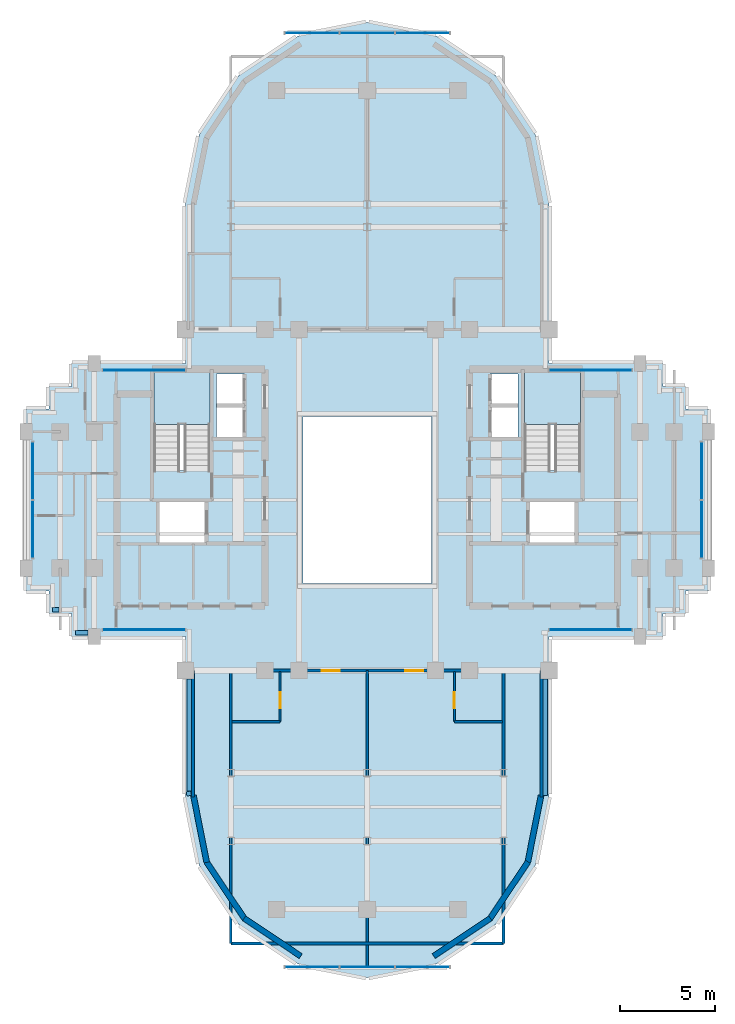
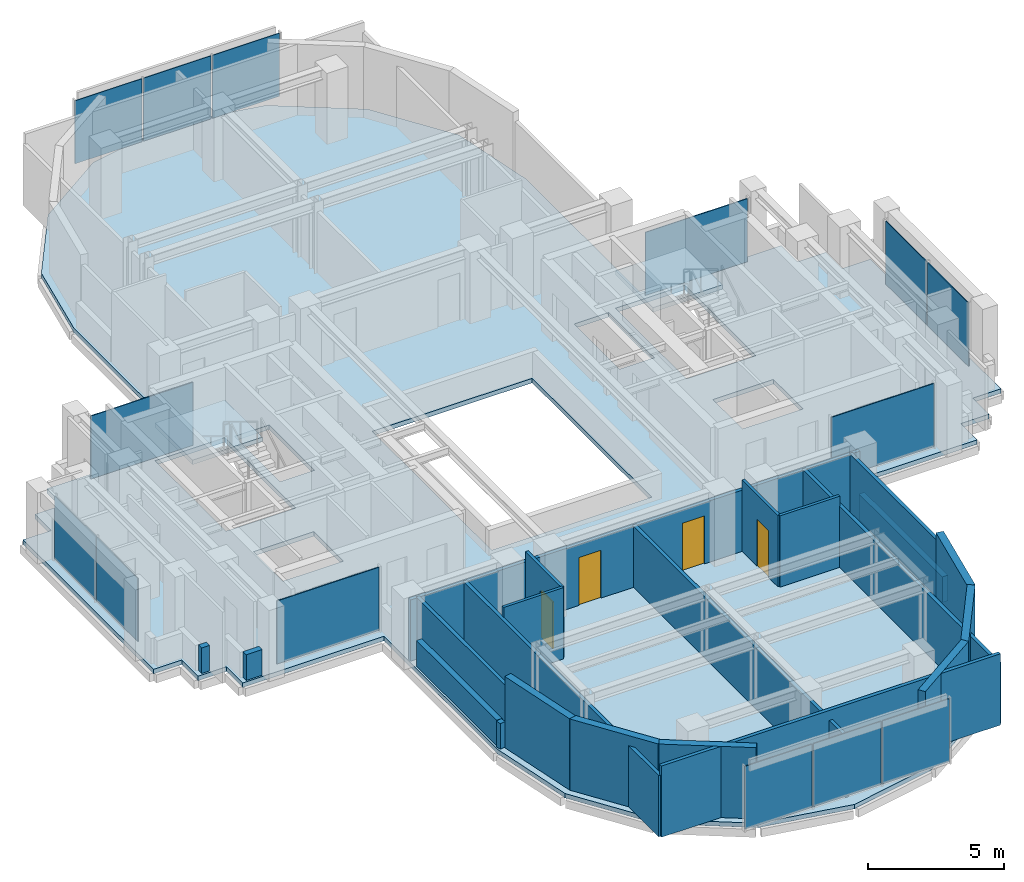
# One storey, part 5 of 12: 22 walls, 14 plates, 4 doors, 3 slabs, 4 openings, 10 elements without a shape of their own.
"""IFC4 building model written with IfcOpenShell, lengths in metres."""

from ifc_helpers import new_model, si_unit, direction, frame, frame_2d, origin, origin_2d, place, context, subcontext, project, spatial, polyline, rectangle, outline, extrude, source, transform, mapped, material, layer, layer_set, type_object, element, fill, aggregate, save


model = new_model("IFC4")

# Units and contexts
model_context = context("Model", 3, precision=1e-05, world=origin(), true_north=direction((0.0, 1.0)))
body_context = subcontext(model_context, "Body", "Model", "MODEL_VIEW")
ifc_project = project(units=[si_unit("LENGTHUNIT", "METRE"), si_unit("AREAUNIT", "SQUARE_METRE"), si_unit("VOLUMEUNIT", "CUBIC_METRE"), si_unit("PLANEANGLEUNIT", "RADIAN"), si_unit("MASSUNIT", "GRAM", prefix="KILO")], contexts=[model_context])

# Site, building, storey
site_placement = place(None, origin())
site = spatial("IfcSite", under=ifc_project, at=site_placement, CompositionType="ELEMENT")
building_placement = place(site_placement, origin())
building = spatial("IfcBuilding", under=site, at=building_placement, Name="Keilestroom Media Tower", CompositionType="ELEMENT")
storey_placement = place(building_placement, frame((0.0, 0.0, 187.60009765625)))
storey = spatial("IfcBuildingStorey", under=building, at=storey_placement, Name="L51", CompositionType="ELEMENT", Elevation=187.60009765625)

# Slab
ifc_material_1 = material(Name="Concrete C50/60", Category="concrete")
ifc_layer_1 = layer(ifc_material_1, 0.199951171875)
ifc_layer_set_1 = layer_set([ifc_layer_1], Name="Concrete C50/60")
slab_type_1 = type_object("IfcSlabType", Name="Composite-Floor-Slab-200", PredefinedType="FLOOR", material=ifc_layer_set_1)
slab_1_placement = place(storey_placement, frame((0.0, 0.0, -0.2001953125)))
element("IfcSlab", 1, at=slab_1_placement, inside=storey, type_object=slab_type_1, Name="L51 Structural Composite Floor Slab", PredefinedType="FLOOR", context=body_context, shape_type="SweptSolid", body=[
    extrude(outline(polyline([(18.0, -4.800048828125), (18.0, 4.800048828125), (16.800048828125, 4.800048828125), (16.800048828125, 6.0), (15.60009765625, 6.0), (15.60009765625, 7.199951171875), (9.60009765625, 7.199951171875), (9.60009765625, 9.60009765625), (9.60009765625, 15.60009765625), (8.869140625, 19.273681640625), (6.7880859375, 22.38818359375), (3.673828125, 24.46923828125), (0.0, 25.199951171875), (-3.673828125, 24.46923828125), (-6.7880859375, 22.38818359375), (-8.869140625, 19.273681640625), (-9.60009765625, 15.60009765625), (-9.60009765625, 9.60009765625), (-9.60009765625, 7.199951171875), (-15.60009765625, 7.199951171875), (-15.60009765625, 6.0), (-16.800048828125, 6.0), (-16.800048828125, 4.800048828125), (-18.0, 4.800048828125), (-18.0, -4.800048828125), (-16.800048828125, -4.800048828125), (-16.800048828125, -6.0), (-15.60009765625, -6.0), (-15.60009765625, -7.199951171875), (-9.60009765625, -7.199951171875), (-9.60009765625, -9.60009765625), (-9.60009765625, -15.60009765625), (-8.869140625, -19.273681640625), (-6.7880859375, -22.38818359375), (-3.673828125, -24.46923828125), (0.0, -25.199951171875), (3.673828125, -24.46923828125), (6.7880859375, -22.38818359375), (8.869140625, -19.273681640625), (9.60009765625, -15.60009765625), (9.60009765625, -9.60009765625), (9.60009765625, -7.199951171875), (15.60009765625, -7.199951171875), (15.60009765625, -6.0), (16.800048828125, -6.0), (16.800048828125, -4.800048828125), (18.0, -4.800048828125)]), holes=[polyline([(-8.300048828125, 1.544921875), (-11.260009765625, 1.544921875), (-11.260009765625, 6.760009765625), (-8.300048828125, 6.760009765625), (-8.300048828125, 1.544921875)]), polyline([(-8.47998046875, -2.280029296875), (-11.050048828125, -2.280029296875), (-11.050048828125, -0.10009765625), (-8.47998046875, -0.10009765625), (-8.47998046875, -2.280029296875)]), polyline([(-6.47998046875, 3.300048828125), (-7.949951171875, 3.300048828125), (-7.949951171875, 6.64990234375), (-6.47998046875, 6.64990234375), (-6.47998046875, 3.300048828125)]), polyline([(3.39990234375, -4.39990234375), (-3.39990234375, -4.39990234375), (-3.39990234375, 4.39990234375), (3.39990234375, 4.39990234375), (3.39990234375, -4.39990234375)]), polyline([(7.949951171875, 3.300048828125), (6.47998046875, 3.300048828125), (6.47998046875, 6.64990234375), (7.949951171875, 6.64990234375), (7.949951171875, 3.300048828125)]), polyline([(11.260009765625, 1.544921875), (8.300048828125, 1.544921875), (8.300048828125, 6.760009765625), (11.260009765625, 6.760009765625), (11.260009765625, 1.544921875)]), polyline([(11.050048828125, -2.280029296875), (8.47998046875, -2.280029296875), (8.47998046875, -0.10009765625), (11.050048828125, -0.10009765625), (11.050048828125, -2.280029296875)])]), origin(), (0.0, 0.0, 1.0), 0.2001953125),
])

# Stair, slab
ifc_material_2 = material(Name="Concrete C45/55", Category="concrete")
stair_type = type_object("IfcStairType", Name="Enclosed-Dog-Leg-Stair-ST-CORE", PredefinedType="HALF_TURN_STAIR", material=ifc_material_2)
stair_1_placement = place(storey_placement, origin())
stair_1 = element("IfcStair", 2, at=stair_1_placement, inside=storey, type_object=stair_type, Name="L51 West Core Escape Stair ST-1", PredefinedType="HALF_TURN_STAIR")
ifc_layer_2 = layer(ifc_material_2, 0.199951171875)
ifc_layer_set_2 = layer_set([ifc_layer_2], Name="Concrete C45/55")
slab_type_2 = type_object("IfcSlabType", Name="Stair-Intermediate-And-Top-Landing-Slab-200", PredefinedType="LANDING", material=ifc_layer_set_2)
slab_2_placement = place(storey_placement, frame((0.0, 0.0, 1.5)))
slab_2 = element("IfcSlab", 3, at=slab_2_placement, type_object=slab_type_2, Name="ST-1 landing 1", PredefinedType="LANDING", context=body_context, shape_type="SweptSolid", body=[
    extrude(outline(polyline([(-8.300048828125, 3.99609375), (-8.300048828125, 6.760009765625), (-11.260009765625, 6.760009765625), (-11.260009765625, 3.99609375), (-8.300048828125, 3.99609375)])), origin(), (0.0, 0.0, 1.0), 0.199951171875),
])
aggregate(stair_1, [slab_2])

stair_2_placement = place(storey_placement, origin())
stair_2 = element("IfcStair", 4, at=stair_2_placement, inside=storey, type_object=stair_type, Name="L51 East Core Escape Stair ST-2", PredefinedType="HALF_TURN_STAIR")
slab_3_placement = place(storey_placement, frame((0.0, 0.0, 1.5)))
slab_3 = element("IfcSlab", 5, at=slab_3_placement, type_object=slab_type_2, Name="ST-2 landing 1", PredefinedType="LANDING", context=body_context, shape_type="SweptSolid", body=[
    extrude(outline(polyline([(11.260009765625, 3.99609375), (11.260009765625, 6.760009765625), (8.300048828125, 6.760009765625), (8.300048828125, 3.99609375), (11.260009765625, 3.99609375)])), origin(), (0.0, 0.0, 1.0), 0.199951171875),
])
aggregate(stair_2, [slab_3])

# Curtain wall, plates
ifc_material_3 = material(Name="Anodised Aluminium Alloy", Category="aluminium")
curtain_wall_type_1 = type_object("IfcCurtainWallType", Name="Unitised-Curtain-Wall-CW-6", PredefinedType="NOTDEFINED", material=ifc_material_3)
curtain_wall_1_placement = place(storey_placement, origin())
curtain_wall_1 = element("IfcCurtainWall", 6, at=curtain_wall_1_placement, inside=storey, type_object=curtain_wall_type_1, Name="L51 Curtain Wall CW-6 CW-L51-LN-1", PredefinedType="NOTDEFINED")
ifc_material_4 = material(Name="Curved-Facet Triple Glazed Unit", Category="glass")
ifc_layer_3 = layer(ifc_material_4, 0.033935546875)
ifc_layer_set_3 = layer_set([ifc_layer_3], Name="Curved-Facet Triple Glazed Unit")
plate_type_1 = type_object("IfcPlateType", Name="Insulated-Curtain-Wall-Glazing-Panel-CW-6", PredefinedType="CURTAIN_PANEL", material=ifc_layer_set_3)
shared_shape_1 = source(origin(), body_context, "Body", "SweptSolid", [
    extrude(rectangle(XDim=2.84375, YDim=0.033935546875, at=origin_2d()), origin(), (0.0, 0.0, 1.0), 2.833984375),
])
plate_1_placement = place(storey_placement, frame((-2.9169921875, 24.64990234375, 0.072998046875), z_axis=(0.0, 0.0, 1.0), x_axis=(1.0, 0.0, 0.0)))
plate_1 = element("IfcPlate", 7, at=plate_1_placement, type_object=plate_type_1, Name="CW-6 Unitised Glazing 00", PredefinedType="CURTAIN_PANEL", context=body_context, shape_type="MappedRepresentation", body=[
    mapped(shared_shape_1, transform((0.0, 0.0, 0.0), x_axis=(1.0, 0.0, 0.0), y_axis=(0.0, 1.0, 0.0), z_axis=(0.0, 0.0, 1.0), scale=1.0)),
])
plate_2_placement = place(storey_placement, frame((2.9169921875, 24.64990234375, 0.072998046875), z_axis=(0.0, 0.0, 1.0), x_axis=(1.0, 0.0, 0.0)))
plate_2 = element("IfcPlate", 8, at=plate_2_placement, type_object=plate_type_1, Name="CW-6 Unitised Glazing 02", PredefinedType="CURTAIN_PANEL", context=body_context, shape_type="MappedRepresentation", body=[
    mapped(shared_shape_1, transform((0.0, 0.0, 0.0), x_axis=(1.0, 0.0, 0.0), y_axis=(0.0, 1.0, 0.0), z_axis=(0.0, 0.0, 1.0), scale=1.0)),
])

curtain_wall_2_placement = place(storey_placement, origin())
curtain_wall_2 = element("IfcCurtainWall", 9, at=curtain_wall_2_placement, inside=storey, type_object=curtain_wall_type_1, Name="L51 Curtain Wall CW-6 CW-L51-LS-1", PredefinedType="NOTDEFINED")
plate_3_placement = place(storey_placement, frame((-2.9169921875, -24.64990234375, 0.072998046875), z_axis=(0.0, 0.0, 1.0), x_axis=(1.0, 0.0, 0.0)))
plate_3 = element("IfcPlate", 10, at=plate_3_placement, type_object=plate_type_1, Name="CW-6 Unitised Glazing 00", PredefinedType="CURTAIN_PANEL", context=body_context, shape_type="MappedRepresentation", body=[
    mapped(shared_shape_1, transform((0.0, 0.0, 0.0), x_axis=(1.0, 0.0, 0.0), y_axis=(0.0, 1.0, 0.0), z_axis=(0.0, 0.0, 1.0), scale=1.0)),
])
plate_4_placement = place(storey_placement, frame((2.9169921875, -24.64990234375, 0.072998046875), z_axis=(0.0, 0.0, 1.0), x_axis=(1.0, 0.0, 0.0)))
plate_4 = element("IfcPlate", 11, at=plate_4_placement, type_object=plate_type_1, Name="CW-6 Unitised Glazing 02", PredefinedType="CURTAIN_PANEL", context=body_context, shape_type="MappedRepresentation", body=[
    mapped(shared_shape_1, transform((0.0, 0.0, 0.0), x_axis=(1.0, 0.0, 0.0), y_axis=(0.0, 1.0, 0.0), z_axis=(0.0, 0.0, 1.0), scale=1.0)),
])

# Plate
shared_shape_2 = source(origin(), body_context, "Body", "SweptSolid", [
    extrude(rectangle(XDim=2.876220703125, YDim=0.033935546875, at=origin_2d()), origin(), (0.0, 0.0, 1.0), 2.833984375),
])
plate_5_placement = place(storey_placement, frame((0.0, 24.64990234375, 0.072998046875), z_axis=(0.0, 0.0, 1.0), x_axis=(1.0, 0.0, 0.0)))
plate_5 = element("IfcPlate", 12, at=plate_5_placement, type_object=plate_type_1, Name="CW-6 Unitised Glazing 01", PredefinedType="CURTAIN_PANEL", context=body_context, shape_type="MappedRepresentation", body=[
    mapped(shared_shape_2, transform((0.0, 0.0, 0.0), x_axis=(1.0, 0.0, 0.0), y_axis=(0.0, 1.0, 0.0), z_axis=(0.0, 0.0, 1.0), scale=1.0)),
])

aggregate(curtain_wall_1, [plate_1, plate_5, plate_2])

plate_6_placement = place(storey_placement, frame((0.0, -24.64990234375, 0.072998046875), z_axis=(0.0, 0.0, 1.0), x_axis=(1.0, 0.0, 0.0)))
plate_6 = element("IfcPlate", 13, at=plate_6_placement, type_object=plate_type_1, Name="CW-6 Unitised Glazing 01", PredefinedType="CURTAIN_PANEL", context=body_context, shape_type="MappedRepresentation", body=[
    mapped(shared_shape_2, transform((0.0, 0.0, 0.0), x_axis=(1.0, 0.0, 0.0), y_axis=(0.0, 1.0, 0.0), z_axis=(0.0, 0.0, 1.0), scale=1.0)),
])

aggregate(curtain_wall_2, [plate_3, plate_6, plate_4])

# Curtain wall, plate
curtain_wall_type_2 = type_object("IfcCurtainWallType", Name="Unitised-Curtain-Wall-CW-3", PredefinedType="NOTDEFINED", material=ifc_material_3)
curtain_wall_3_placement = place(storey_placement, origin())
curtain_wall_3 = element("IfcCurtainWall", 14, at=curtain_wall_3_placement, inside=storey, type_object=curtain_wall_type_2, Name="L51 Curtain Wall CW-3 CW-L51-NW-1", PredefinedType="NOTDEFINED")
ifc_material_5 = material(Name="Triple Glazed Acoustic Low-E Unit", Category="glass")
ifc_layer_4 = layer(ifc_material_5, 0.0380859375)
ifc_layer_set_4 = layer_set([ifc_layer_4], Name="Triple Glazed Acoustic Low-E Unit")
plate_type_2 = type_object("IfcPlateType", Name="Insulated-Curtain-Wall-Glazing-Panel-CW-3", PredefinedType="CURTAIN_PANEL", material=ifc_layer_set_4)
shared_shape_3 = source(origin(), body_context, "Body", "SweptSolid", [
    extrude(rectangle(XDim=4.343017578125, YDim=0.0380859375, at=origin_2d()), origin(), (0.0, 0.0, 1.0), 2.833984375),
])
plate_7_placement = place(storey_placement, frame((-11.782470703125, 6.85009765625, 0.072998046875), z_axis=(0.0, 0.0, 1.0), x_axis=(1.0, 0.0, 0.0)))
plate_7 = element("IfcPlate", 15, at=plate_7_placement, type_object=plate_type_2, Name="CW-3 Unitised Glazing 00", PredefinedType="CURTAIN_PANEL", context=body_context, shape_type="MappedRepresentation", body=[
    mapped(shared_shape_3, transform((0.0, 0.0, 0.0), x_axis=(1.0, 0.0, 0.0), y_axis=(0.0, 1.0, 0.0), z_axis=(0.0, 0.0, 1.0), scale=1.0)),
])
aggregate(curtain_wall_3, [plate_7])

curtain_wall_4_placement = place(storey_placement, origin())
curtain_wall_4 = element("IfcCurtainWall", 16, at=curtain_wall_4_placement, inside=storey, type_object=curtain_wall_type_2, Name="L51 Curtain Wall CW-3 CW-L51-NE-1", PredefinedType="NOTDEFINED")
plate_8_placement = place(storey_placement, frame((11.782470703125, 6.85009765625, 0.072998046875), z_axis=(0.0, 0.0, 1.0), x_axis=(1.0, 0.0, 0.0)))
plate_8 = element("IfcPlate", 17, at=plate_8_placement, type_object=plate_type_2, Name="CW-3 Unitised Glazing 00", PredefinedType="CURTAIN_PANEL", context=body_context, shape_type="MappedRepresentation", body=[
    mapped(shared_shape_3, transform((0.0, 0.0, 0.0), x_axis=(1.0, 0.0, 0.0), y_axis=(0.0, 1.0, 0.0), z_axis=(0.0, 0.0, 1.0), scale=1.0)),
])
aggregate(curtain_wall_4, [plate_8])

curtain_wall_5_placement = place(storey_placement, origin())
curtain_wall_5 = element("IfcCurtainWall", 18, at=curtain_wall_5_placement, inside=storey, type_object=curtain_wall_type_2, Name="L51 Curtain Wall CW-3 CW-L51-SW-1", PredefinedType="NOTDEFINED")
plate_9_placement = place(storey_placement, frame((-11.782470703125, -6.85009765625, 0.072998046875), z_axis=(0.0, 0.0, 1.0), x_axis=(1.0, 0.0, 0.0)))
plate_9 = element("IfcPlate", 19, at=plate_9_placement, type_object=plate_type_2, Name="CW-3 Unitised Glazing 00", PredefinedType="CURTAIN_PANEL", context=body_context, shape_type="MappedRepresentation", body=[
    mapped(shared_shape_3, transform((0.0, 0.0, 0.0), x_axis=(1.0, 0.0, 0.0), y_axis=(0.0, 1.0, 0.0), z_axis=(0.0, 0.0, 1.0), scale=1.0)),
])
aggregate(curtain_wall_5, [plate_9])

curtain_wall_6_placement = place(storey_placement, origin())
curtain_wall_6 = element("IfcCurtainWall", 20, at=curtain_wall_6_placement, inside=storey, type_object=curtain_wall_type_2, Name="L51 Curtain Wall CW-3 CW-L51-SE-1", PredefinedType="NOTDEFINED")
plate_10_placement = place(storey_placement, frame((11.782470703125, -6.85009765625, 0.072998046875), z_axis=(0.0, 0.0, 1.0), x_axis=(1.0, 0.0, 0.0)))
plate_10 = element("IfcPlate", 21, at=plate_10_placement, type_object=plate_type_2, Name="CW-3 Unitised Glazing 00", PredefinedType="CURTAIN_PANEL", context=body_context, shape_type="MappedRepresentation", body=[
    mapped(shared_shape_3, transform((0.0, 0.0, 0.0), x_axis=(1.0, 0.0, 0.0), y_axis=(0.0, 1.0, 0.0), z_axis=(0.0, 0.0, 1.0), scale=1.0)),
])
aggregate(curtain_wall_6, [plate_10])

# Curtain wall, plates
curtain_wall_7_placement = place(storey_placement, origin())
curtain_wall_7 = element("IfcCurtainWall", 22, at=curtain_wall_7_placement, inside=storey, type_object=curtain_wall_type_2, Name="L51 Curtain Wall CW-3 CW-L51-W-1", PredefinedType="NOTDEFINED")
shared_shape_4 = source(origin(), body_context, "Body", "SweptSolid", [
    extrude(rectangle(XDim=3.025390625, YDim=0.0380859375, at=origin_2d()), origin(), (0.0, 0.0, 1.0), 2.833984375),
])
plate_11_placement = place(storey_placement, frame((-17.64990234375, -1.541259765625, 0.072998046875), z_axis=(0.0, 0.0, 1.0), x_axis=(0.0, 1.0, 0.0)))
plate_11 = element("IfcPlate", 23, at=plate_11_placement, type_object=plate_type_2, Name="CW-3 Unitised Glazing 00", PredefinedType="CURTAIN_PANEL", context=body_context, shape_type="MappedRepresentation", body=[
    mapped(shared_shape_4, transform((0.0, 0.0, 0.0), x_axis=(1.0, 0.0, 0.0), y_axis=(0.0, 1.0, 0.0), z_axis=(0.0, 0.0, 1.0), scale=1.0)),
])
plate_12_placement = place(storey_placement, frame((-17.64990234375, 1.541259765625, 0.072998046875), z_axis=(0.0, 0.0, 1.0), x_axis=(0.0, 1.0, 0.0)))
plate_12 = element("IfcPlate", 24, at=plate_12_placement, type_object=plate_type_2, Name="CW-3 Unitised Glazing 01", PredefinedType="CURTAIN_PANEL", context=body_context, shape_type="MappedRepresentation", body=[
    mapped(shared_shape_4, transform((0.0, 0.0, 0.0), x_axis=(1.0, 0.0, 0.0), y_axis=(0.0, 1.0, 0.0), z_axis=(0.0, 0.0, 1.0), scale=1.0)),
])
aggregate(curtain_wall_7, [plate_11, plate_12])

curtain_wall_8_placement = place(storey_placement, origin())
curtain_wall_8 = element("IfcCurtainWall", 25, at=curtain_wall_8_placement, inside=storey, type_object=curtain_wall_type_2, Name="L51 Curtain Wall CW-3 CW-L51-E-1", PredefinedType="NOTDEFINED")
plate_13_placement = place(storey_placement, frame((17.64990234375, -1.541259765625, 0.072998046875), z_axis=(0.0, 0.0, 1.0), x_axis=(0.0, 1.0, 0.0)))
plate_13 = element("IfcPlate", 26, at=plate_13_placement, type_object=plate_type_2, Name="CW-3 Unitised Glazing 00", PredefinedType="CURTAIN_PANEL", context=body_context, shape_type="MappedRepresentation", body=[
    mapped(shared_shape_4, transform((0.0, 0.0, 0.0), x_axis=(1.0, 0.0, 0.0), y_axis=(0.0, 1.0, 0.0), z_axis=(0.0, 0.0, 1.0), scale=1.0)),
])
plate_14_placement = place(storey_placement, frame((17.64990234375, 1.541259765625, 0.072998046875), z_axis=(0.0, 0.0, 1.0), x_axis=(0.0, 1.0, 0.0)))
plate_14 = element("IfcPlate", 27, at=plate_14_placement, type_object=plate_type_2, Name="CW-3 Unitised Glazing 01", PredefinedType="CURTAIN_PANEL", context=body_context, shape_type="MappedRepresentation", body=[
    mapped(shared_shape_4, transform((0.0, 0.0, 0.0), x_axis=(1.0, 0.0, 0.0), y_axis=(0.0, 1.0, 0.0), z_axis=(0.0, 0.0, 1.0), scale=1.0)),
])
aggregate(curtain_wall_8, [plate_13, plate_14])

# Walls
ifc_material_6 = material(Name="Precast concrete C40/50", Category="concrete")
ifc_layer_5 = layer(ifc_material_6, 0.300048828125)
ifc_layer_set_5 = layer_set([ifc_layer_5], Name="Precast concrete C40/50")
wall_type_1 = type_object("IfcWallType", Name="Exterior-Masonry-Spandrel-Wall-300", PredefinedType="SOLIDWALL", material=ifc_layer_set_5)
for number, where, z_axis, x_axis, name in (
    (28, (-9.1748046875, -15.585205078125, 0.0), (0.0, 0.0, 1.0), (0.195114232679, -0.980780523974, 0.0), "L51 Lobe Facet Precast Frame Wall 07"),
    (29, (-8.48193359375, -19.097412109375, 0.0), (0.0, 0.0, 1.0), (0.555574187116, -0.831466970246, 0.0), "L51 Lobe Facet Precast Frame Wall 08"),
):
    element("IfcWall", number, at=place(storey_placement, frame(where, z_axis=z_axis, x_axis=x_axis)), inside=storey, type_object=wall_type_1, Name=name, PredefinedType="SOLIDWALL", context=body_context, shape_type="SweptSolid", body=[
        extrude(rectangle(XDim=3.608642578125, YDim=0.300048828125, at=frame_2d((1.80419921875, 0.0))), origin(), (0.0, 0.0, 1.0), 3.199951171875),
    ])
for number, where, z_axis, x_axis, name in (
    (30, (-6.497802734375, -22.0771484375, 0.0), (0.0, 0.0, 1.0), (0.8314749531, -0.555562239868, 0.0), "L51 Lobe Facet Precast Frame Wall 09"),
    (31, (3.510009765625, -24.073486328125, 0.0), (0.0, 0.0, 1.0), (0.8314749531, 0.555562239868, 0.0), "L51 Lobe Facet Precast Frame Wall 10"),
):
    element("IfcWall", number, at=place(storey_placement, frame(where, z_axis=z_axis, x_axis=x_axis)), inside=storey, type_object=wall_type_1, Name=name, PredefinedType="SOLIDWALL", context=body_context, shape_type="SweptSolid", body=[
        extrude(rectangle(XDim=3.59326171875, YDim=0.300048828125, at=frame_2d((1.796630859375, 0.0))), origin(), (0.0, 0.0, 1.0), 3.199951171875),
    ])
for number, where, z_axis, x_axis, name in (
    (32, (6.47705078125, -22.097900390625, 0.0), (0.0, 0.0, 1.0), (0.555574187116, 0.831466970246, 0.0), "L51 Lobe Facet Precast Frame Wall 11"),
    (33, (8.470703125, -19.12451171875, 0.0), (0.0, 0.0, 1.0), (0.195114232679, 0.980780523974, 0.0), "L51 Lobe Facet Precast Frame Wall 12"),
):
    element("IfcWall", number, at=place(storey_placement, frame(where, z_axis=z_axis, x_axis=x_axis)), inside=storey, type_object=wall_type_1, Name=name, PredefinedType="SOLIDWALL", context=body_context, shape_type="SweptSolid", body=[
        extrude(rectangle(XDim=3.608642578125, YDim=0.300048828125, at=frame_2d((1.80419921875, 0.0))), origin(), (0.0, 0.0, 1.0), 3.199951171875),
    ])

# Wall, opening, door
ifc_material_7 = material(Name="Gypsum Plasterboard & Steel Stud", Category="steel")
ifc_layer_6 = layer(ifc_material_7, 0.1201171875)
ifc_layer_set_6 = layer_set([ifc_layer_6], Name="Gypsum Plasterboard & Steel Stud")
wall_type_2 = type_object("IfcWallType", Name="Interior-Partition-Wall-120", PredefinedType="PARTITIONING", material=ifc_layer_set_6)
wall_1_placement = place(storey_placement, frame((-4.60009765625, -11.699951171875, 0.0), z_axis=(0.0, 0.0, 1.0), x_axis=(0.0, 1.0, 0.0)))
wall_1 = element("IfcWall", 34, at=wall_1_placement, inside=storey, type_object=wall_type_2, Name="L51 Interior Wall WP-L51-ENSW-SW", PredefinedType="PARTITIONING", context=body_context, shape_type="SweptSolid", body=[
    extrude(rectangle(XDim=2.639892578125, YDim=0.1201171875, at=frame_2d((1.31982421875, 0.0))), origin(), (0.0, 0.0, 1.0), 3.199951171875),
])
opening_1_placement = place(wall_1_placement, frame((0.699951171875, 0.0, 0.0)))
opening_1 = element("IfcOpeningElement", 35, at=opening_1_placement, cuts=wall_1, Name="Opening DI-05", PredefinedType="OPENING", context=body_context, shape_type="SweptSolid", body=[
    extrude(rectangle(XDim=0.85009765625, YDim=2.10009765625, at=frame_2d((0.425048828125, 1.050048828125))), frame((0.0, 0.070068359375, 0.0), z_axis=(0.0, -1.0, 0.0), x_axis=(1.0, 0.0, 0.0)), (0.0, 0.0, 1.0), 0.14013671875),
])
ifc_material_8 = material(Name="Moisture-Resistant Oak Leaf", Category="wood")
door_type_1 = type_object("IfcDoorType", Name="Interior-En-Suite-And-Cupboard-Door-DI-05", OperationType="NOTDEFINED", PredefinedType="DOOR", material=ifc_material_8)
shared_shape_5 = source(origin(), body_context, "Body", "SweptSolid", [
    extrude(rectangle(XDim=0.85009765625, YDim=2.10009765625, at=frame_2d((0.425048828125, 1.050048828125))), frame((0.0, 0.02490234375, 0.0), z_axis=(0.0, -1.0, 0.0), x_axis=(1.0, 0.0, 0.0)), (0.0, 0.0, 1.0), 0.050048828125),
])
door_1_placement = place(opening_1_placement, origin())
door_1 = element("IfcDoor", 36, at=door_1_placement, inside=storey, type_object=door_type_1, Name="L51 Interior Door DI-L51-DENS-SW", OperationType="SINGLE_SWING_LEFT", OverallHeight=2.10009765625, OverallWidth=0.85009765625, PredefinedType="DOOR", context=body_context, shape_type="MappedRepresentation", body=[
    mapped(shared_shape_5, transform((0.0, 0.0, 0.0), x_axis=(1.0, 0.0, 0.0), y_axis=(0.0, 1.0, 0.0), z_axis=(0.0, 0.0, 1.0), scale=1.0)),
])
fill(opening_1, door_1)

# Wall
wall_2_placement = place(storey_placement, frame((-7.139892578125, -11.699951171875, 0.0), z_axis=(0.0, 0.0, 1.0), x_axis=(1.0, 0.0, 0.0)))
element("IfcWall", 37, at=wall_2_placement, inside=storey, type_object=wall_type_2, Name="L51 Interior Wall WP-L51-ENSH-SW", PredefinedType="PARTITIONING", context=body_context, shape_type="SweptSolid", body=[
    extrude(rectangle(XDim=2.539794921875, YDim=0.1201171875, at=frame_2d((1.27001953125, 0.0))), origin(), (0.0, 0.0, 1.0), 3.199951171875),
])

# Wall, opening, door
wall_3_placement = place(storey_placement, frame((4.60009765625, -11.699951171875, 0.0), z_axis=(0.0, 0.0, 1.0), x_axis=(0.0, 1.0, 0.0)))
wall_3 = element("IfcWall", 38, at=wall_3_placement, inside=storey, type_object=wall_type_2, Name="L51 Interior Wall WP-L51-ENSW-SE", PredefinedType="PARTITIONING", context=body_context, shape_type="SweptSolid", body=[
    extrude(rectangle(XDim=2.639892578125, YDim=0.1201171875, at=frame_2d((1.31982421875, 0.0))), origin(), (0.0, 0.0, 1.0), 3.199951171875),
])
opening_2_placement = place(wall_3_placement, frame((0.699951171875, 0.0, 0.0)))
opening_2 = element("IfcOpeningElement", 39, at=opening_2_placement, cuts=wall_3, Name="Opening DI-05", PredefinedType="OPENING", context=body_context, shape_type="SweptSolid", body=[
    extrude(rectangle(XDim=0.85009765625, YDim=2.10009765625, at=frame_2d((0.425048828125, 1.050048828125))), frame((0.0, 0.070068359375, 0.0), z_axis=(0.0, -1.0, 0.0), x_axis=(1.0, 0.0, 0.0)), (0.0, 0.0, 1.0), 0.14013671875),
])
door_2_placement = place(opening_2_placement, origin())
door_2 = element("IfcDoor", 40, at=door_2_placement, inside=storey, type_object=door_type_1, Name="L51 Interior Door DI-L51-DENS-SE", OperationType="SINGLE_SWING_LEFT", OverallHeight=2.10009765625, OverallWidth=0.85009765625, PredefinedType="DOOR", context=body_context, shape_type="MappedRepresentation", body=[
    mapped(shared_shape_5, transform((0.0, 0.0, 0.0), x_axis=(1.0, 0.0, 0.0), y_axis=(0.0, 1.0, 0.0), z_axis=(0.0, 0.0, 1.0), scale=1.0)),
])
fill(opening_2, door_2)

# Wall
wall_4_placement = place(storey_placement, frame((4.60009765625, -11.699951171875, 0.0), z_axis=(0.0, 0.0, 1.0), x_axis=(1.0, 0.0, 0.0)))
element("IfcWall", 41, at=wall_4_placement, inside=storey, type_object=wall_type_2, Name="L51 Interior Wall WP-L51-ENSH-SE", PredefinedType="PARTITIONING", context=body_context, shape_type="SweptSolid", body=[
    extrude(rectangle(XDim=2.539794921875, YDim=0.1201171875, at=frame_2d((1.27001953125, 0.0))), origin(), (0.0, 0.0, 1.0), 3.199951171875),
])

# Wall, openings, doors
ifc_layer_7 = layer(ifc_material_7, 0.14990234375)
ifc_layer_set_7 = layer_set([ifc_layer_7], Name="Gypsum Plasterboard & Steel Stud")
wall_type_3 = type_object("IfcWallType", Name="Interior-Partition-Wall-150", PredefinedType="PARTITIONING", material=ifc_layer_set_7)
wall_5_placement = place(storey_placement, frame((-9.550048828125, -9.0, 0.0), z_axis=(0.0, 0.0, 1.0), x_axis=(1.0, 0.0, 0.0)))
wall_5 = element("IfcWall", 42, at=wall_5_placement, inside=storey, type_object=wall_type_3, Name="L51 Interior Wall WP-L51-H306-S-BASE", PredefinedType="PARTITIONING", context=body_context, shape_type="SweptSolid", body=[
    extrude(rectangle(XDim=19.10009765625, YDim=0.14990234375, at=frame_2d((9.550048828125, 0.0))), origin(), (0.0, 0.0, 1.0), 2.75),
])
opening_3_placement = place(wall_5_placement, frame((7.14990234375, 0.0, 0.0)))
opening_3 = element("IfcOpeningElement", 43, at=opening_3_placement, cuts=wall_5, Name="Opening DI-03", PredefinedType="OPENING", context=body_context, shape_type="SweptSolid", body=[
    extrude(rectangle(XDim=0.949951171875, YDim=2.14990234375, at=frame_2d((0.47509765625, 1.074951171875))), frame((0.0, 0.0849609375, 0.0), z_axis=(0.0, -1.0, 0.0), x_axis=(1.0, 0.0, 0.0)), (0.0, 0.0, 1.0), 0.169921875),
])
opening_4_placement = place(wall_5_placement, frame((11.550048828125, 0.0, 0.0)))
opening_4 = element("IfcOpeningElement", 44, at=opening_4_placement, cuts=wall_5, Name="Opening DI-03", PredefinedType="OPENING", context=body_context, shape_type="SweptSolid", body=[
    extrude(rectangle(XDim=0.949951171875, YDim=2.14990234375, at=frame_2d((0.47509765625, 1.074951171875))), frame((0.0, 0.0849609375, 0.0), z_axis=(0.0, -1.0, 0.0), x_axis=(1.0, 0.0, 0.0)), (0.0, 0.0, 1.0), 0.169921875),
])
ifc_material_9 = material(Name="Lacquered European Oak Leaf", Category="wood")
door_type_2 = type_object("IfcDoorType", Name="Interior-Room-And-Suite-Door-DI-03", OperationType="NOTDEFINED", PredefinedType="DOOR", material=ifc_material_9)
shared_shape_6 = source(origin(), body_context, "Body", "SweptSolid", [
    extrude(rectangle(XDim=0.949951171875, YDim=2.14990234375, at=frame_2d((0.47509765625, 1.074951171875))), frame((0.0, 0.02490234375, 0.0), z_axis=(0.0, -1.0, 0.0), x_axis=(1.0, 0.0, 0.0)), (0.0, 0.0, 1.0), 0.050048828125),
])
door_3_placement = place(opening_3_placement, origin())
door_3 = element("IfcDoor", 45, at=door_3_placement, inside=storey, type_object=door_type_2, Name="L51 Interior Door DI-L51-DHTL-SW", OperationType="SINGLE_SWING_RIGHT", OverallHeight=2.14990234375, OverallWidth=0.949951171875, PredefinedType="DOOR", context=body_context, shape_type="MappedRepresentation", body=[
    mapped(shared_shape_6, transform((0.0, 0.0, 0.0), x_axis=(1.0, 0.0, 0.0), y_axis=(0.0, 1.0, 0.0), z_axis=(0.0, 0.0, 1.0), scale=1.0)),
])
fill(opening_3, door_3)
door_4_placement = place(opening_4_placement, origin())
door_4 = element("IfcDoor", 46, at=door_4_placement, inside=storey, type_object=door_type_2, Name="L51 Interior Door DI-L51-DHTL-SE", OperationType="SINGLE_SWING_RIGHT", OverallHeight=2.14990234375, OverallWidth=0.949951171875, PredefinedType="DOOR", context=body_context, shape_type="MappedRepresentation", body=[
    mapped(shared_shape_6, transform((0.0, 0.0, 0.0), x_axis=(1.0, 0.0, 0.0), y_axis=(0.0, 1.0, 0.0), z_axis=(0.0, 0.0, 1.0), scale=1.0)),
])
fill(opening_4, door_4)

# Walls
for number, where, z_axis, x_axis, name in (
    (47, (-9.199951171875, -15.679931640625, 0.0), (0.0, 0.0, 1.0), (0.0, 1.0, 0.0), "L51 Interior Wall WP-L51-SL-CHKW"),
    (48, (9.199951171875, -15.679931640625, 0.0), (0.0, 0.0, 1.0), (0.0, 1.0, 0.0), "L51 Interior Wall WP-L51-SL-CHKE"),
):
    element("IfcWall", number, at=place(storey_placement, frame(where, z_axis=z_axis, x_axis=x_axis)), inside=storey, type_object=wall_type_3, Name=name, PredefinedType="PARTITIONING", context=body_context, shape_type="SweptSolid", body=[
        extrude(rectangle(XDim=6.679931640625, YDim=0.14990234375, at=frame_2d((3.33984375, 0.0))), origin(), (0.0, 0.0, 1.0), 2.75),
    ])
wall_6_placement = place(storey_placement, frame((-7.199951171875, -23.39990234375, 0.0), z_axis=(0.0, 0.0, 1.0), x_axis=(0.0, 1.0, 0.0)))
element("IfcWall", 49, at=wall_6_placement, inside=storey, type_object=wall_type_3, Name="L51 Interior Wall WP-L51-H306-SV--72", PredefinedType="PARTITIONING", context=body_context, shape_type="SweptSolid", body=[
    extrude(rectangle(XDim=14.39990234375, YDim=0.14990234375, at=frame_2d((7.199951171875, 0.0))), origin(), (0.0, 0.0, 1.0), 2.75),
])
wall_7_placement = place(storey_placement, frame((0.0, -24.64990234375, 0.0), z_axis=(0.0, 0.0, 1.0), x_axis=(0.0, 1.0, 0.0)))
element("IfcWall", 50, at=wall_7_placement, inside=storey, type_object=wall_type_3, Name="L51 Interior Wall WP-L51-H306-SV-0", PredefinedType="PARTITIONING", context=body_context, shape_type="SweptSolid", body=[
    extrude(rectangle(XDim=15.64990234375, YDim=0.14990234375, at=frame_2d((7.824951171875, 0.0))), origin(), (0.0, 0.0, 1.0), 2.75),
])
wall_8_placement = place(storey_placement, frame((7.199951171875, -23.39990234375, 0.0), z_axis=(0.0, 0.0, 1.0), x_axis=(0.0, 1.0, 0.0)))
element("IfcWall", 51, at=wall_8_placement, inside=storey, type_object=wall_type_3, Name="L51 Interior Wall WP-L51-H306-SV-72", PredefinedType="PARTITIONING", context=body_context, shape_type="SweptSolid", body=[
    extrude(rectangle(XDim=14.39990234375, YDim=0.14990234375, at=frame_2d((7.199951171875, 0.0))), origin(), (0.0, 0.0, 1.0), 2.75),
])
wall_9_placement = place(storey_placement, frame((-7.199951171875, -23.39990234375, 0.0), z_axis=(0.0, 0.0, 1.0), x_axis=(1.0, 0.0, 0.0)))
element("IfcWall", 52, at=wall_9_placement, inside=storey, type_object=wall_type_3, Name="L51 Interior Wall WP-L51-H306-STIP", PredefinedType="PARTITIONING", context=body_context, shape_type="SweptSolid", body=[
    extrude(rectangle(XDim=14.39990234375, YDim=0.14990234375, at=frame_2d((7.199951171875, 0.0))), origin(), (0.0, 0.0, 1.0), 3.199951171875),
])
ifc_layer_8 = layer(ifc_material_6, 0.239990234375)
ifc_layer_set_8 = layer_set([ifc_layer_8], Name="Precast concrete C40/50")
wall_type_4 = type_object("IfcWallType", Name="Roof-And-Terrace-Parapet-Wall-240", PredefinedType="PARAPET", material=ifc_layer_set_8)
wall_10_placement = place(storey_placement, frame((9.39990234375, -9.452880859375, 0.0), z_axis=(0.0, 0.0, 1.0), x_axis=(0.0, -1.0, 0.0)))
element("IfcWall", 53, at=wall_10_placement, inside=storey, type_object=wall_type_4, Name="L51 Perimeter Edge Parapet Wall 09", PredefinedType="PARAPET", context=body_context, shape_type="SweptSolid", body=[
    extrude(rectangle(XDim=6.14990234375, YDim=0.239990234375, at=frame_2d((3.074951171875, 0.0))), origin(), (0.0, 0.0, 1.0), 1.14990234375),
])
wall_11_placement = place(storey_placement, frame((-9.395263671875, -15.604248046875, 0.0), z_axis=(0.0, 0.0, 1.0), x_axis=(-0.194652052864, 0.980872355771, 0.0)))
element("IfcWall", 54, at=wall_11_placement, inside=storey, type_object=wall_type_4, Name="L51 Perimeter Edge Parapet Wall 10", PredefinedType="PARAPET", context=body_context, shape_type="SweptSolid", body=[
    extrude(rectangle(XDim=0.224609375, YDim=0.239990234375, at=frame_2d((0.1123046875, 0.0))), origin(), (0.0, 0.0, 1.0), 1.14990234375),
])
wall_12_placement = place(storey_placement, frame((-9.39990234375, -15.357666015625, 0.0), z_axis=(0.0, 0.0, 1.0), x_axis=(0.0, 1.0, 0.0)))
element("IfcWall", 55, at=wall_12_placement, inside=storey, type_object=wall_type_4, Name="L51 Perimeter Edge Parapet Wall 11", PredefinedType="PARAPET", context=body_context, shape_type="SweptSolid", body=[
    extrude(rectangle(XDim=5.90478515625, YDim=0.239990234375, at=frame_2d((2.952392578125, 0.0))), origin(), (0.0, 0.0, 1.0), 1.14990234375),
])
wall_13_placement = place(storey_placement, frame((-14.72802734375, -7.0, 0.0), z_axis=(0.0, 0.0, 1.0), x_axis=(-1.0, 0.0, 0.0)))
element("IfcWall", 56, at=wall_13_placement, inside=storey, type_object=wall_type_4, Name="L51 Perimeter Edge Parapet Wall 13", PredefinedType="PARAPET", context=body_context, shape_type="SweptSolid", body=[
    extrude(rectangle(XDim=0.671875, YDim=0.239990234375, at=frame_2d((0.3359375, 0.0))), origin(), (0.0, 0.0, 1.0), 1.14990234375),
])
wall_14_placement = place(storey_placement, frame((-16.262939453125, -5.800048828125, 0.0), z_axis=(0.0, 0.0, 1.0), x_axis=(-1.0, 0.0, 0.0)))
element("IfcWall", 57, at=wall_14_placement, inside=storey, type_object=wall_type_4, Name="L51 Perimeter Edge Parapet Wall 16", PredefinedType="PARAPET", context=body_context, shape_type="SweptSolid", body=[
    extrude(rectangle(XDim=0.337158203125, YDim=0.239990234375, at=frame_2d((0.16845703125, 0.0))), origin(), (0.0, 0.0, 1.0), 1.14990234375),
])

save(model, "model.ifc")
